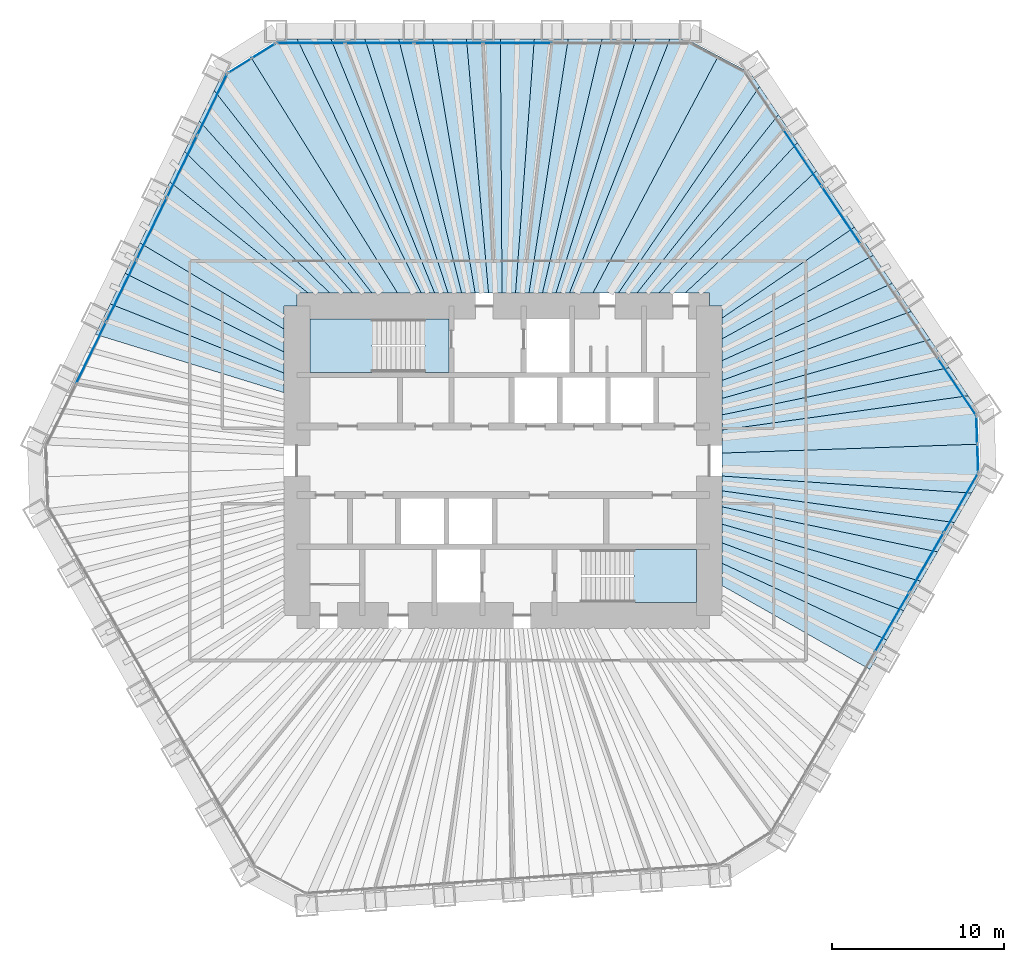
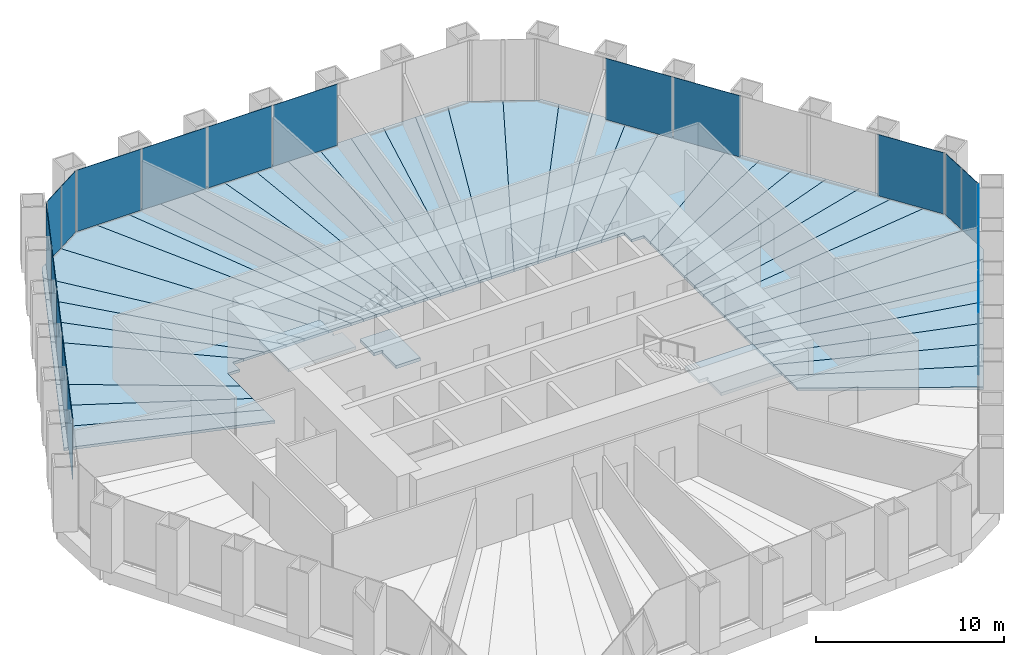
# One storey, part 9 of 13: 43 slabs, 19 plates, 8 elements without a shape of their own.
"""IFC4 building model written with IfcOpenShell, lengths in metres."""

from ifc_helpers import new_model, si_unit, direction, frame, origin, origin_2d, place, context, subcontext, project, spatial, polyline, rectangle, outline, extrude, material, layer, layer_set, type_object, element, aggregate, save


model = new_model("IFC4")

# Units and contexts
model_context = context("Model", 3, precision=1e-05, world=origin(), true_north=direction((0.0, 1.0)))
body_context = subcontext(model_context, "Body", "Model", "MODEL_VIEW")
ifc_project = project(units=[si_unit("LENGTHUNIT", "METRE"), si_unit("AREAUNIT", "SQUARE_METRE"), si_unit("VOLUMEUNIT", "CUBIC_METRE"), si_unit("PLANEANGLEUNIT", "RADIAN"), si_unit("MASSUNIT", "GRAM", prefix="KILO")], contexts=[model_context])

# Site, building, storey
site_placement = place(None, origin())
site = spatial("IfcSite", under=ifc_project, at=site_placement, CompositionType="ELEMENT")
building_placement = place(site_placement, origin())
building = spatial("IfcBuilding", under=site, at=building_placement, Name="Qingtian Harvest Tower", CompositionType="ELEMENT")
storey_placement = place(building_placement, frame((0.0, 0.0, 111.39990234375)))
storey = spatial("IfcBuildingStorey", under=building, at=storey_placement, Name="L22", CompositionType="ELEMENT", Elevation=111.39990234375)

# Slabs
ifc_material_1 = material(Name="Concrete fc' 35 MPa", Category="concrete")
ifc_layer_1 = layer(ifc_material_1, 0.169921875)
ifc_layer_set_1 = layer_set([ifc_layer_1], Name="Composite floor slab FS17 170")
slab_type_1 = type_object("IfcSlabType", Name="Composite floor slab FS17 170", PredefinedType="FLOOR", material=ifc_layer_set_1)
slab_1_placement = place(storey_placement, frame((0.0, 0.0, -0.169921875)))
element("IfcSlab", 1, at=slab_1_placement, inside=storey, type_object=slab_type_1, Name="Floor slab L22 panel D33", PredefinedType="FLOOR", context=body_context, shape_type="SweptSolid", body=[
    extrude(outline(polyline([(12.75, -5.97021484375), (22.330322265625, -10.4326171875), (21.343505859375, -12.14208984375), (12.75, -7.268798828125), (12.75, -5.97021484375)])), origin(), (0.0, 0.0, 1.0), 0.169921875),
])
slab_2_placement = place(storey_placement, frame((0.0, 0.0, -0.169921875)))
element("IfcSlab", 2, at=slab_2_placement, inside=storey, type_object=slab_type_1, Name="Floor slab L22 panel D34", PredefinedType="FLOOR", context=body_context, shape_type="SweptSolid", body=[
    extrude(outline(polyline([(12.75, -4.78173828125), (23.317138671875, -8.723388671875), (22.330322265625, -10.4326171875), (12.75, -5.97021484375), (12.75, -4.78173828125)])), origin(), (0.0, 0.0, 1.0), 0.169921875),
])
slab_3_placement = place(storey_placement, frame((0.0, 0.0, -0.169921875)))
element("IfcSlab", 3, at=slab_3_placement, inside=storey, type_object=slab_type_1, Name="Floor slab L22 panel D35", PredefinedType="FLOOR", context=body_context, shape_type="SweptSolid", body=[
    extrude(outline(polyline([(12.75, -3.68994140625), (24.30419921875, -7.013916015625), (23.317138671875, -8.723388671875), (12.75, -4.78173828125), (12.75, -3.68994140625)])), origin(), (0.0, 0.0, 1.0), 0.169921875),
])
slab_4_placement = place(storey_placement, frame((0.0, 0.0, -0.169921875)))
element("IfcSlab", 4, at=slab_4_placement, inside=storey, type_object=slab_type_1, Name="Floor slab L22 panel D36", PredefinedType="FLOOR", context=body_context, shape_type="SweptSolid", body=[
    extrude(outline(polyline([(12.75, -2.683349609375), (25.291015625, -5.3046875), (24.30419921875, -7.013916015625), (12.75, -3.68994140625), (12.75, -2.683349609375)])), origin(), (0.0, 0.0, 1.0), 0.169921875),
])
slab_5_placement = place(storey_placement, frame((0.0, 0.0, -0.169921875)))
element("IfcSlab", 5, at=slab_5_placement, inside=storey, type_object=slab_type_1, Name="Floor slab L22 panel D37", PredefinedType="FLOOR", context=body_context, shape_type="SweptSolid", body=[
    extrude(outline(polyline([(12.75, -1.752685546875), (26.278076171875, -3.59521484375), (25.291015625, -5.3046875), (12.75, -2.683349609375), (12.75, -1.752685546875)])), origin(), (0.0, 0.0, 1.0), 0.169921875),
])
slab_6_placement = place(storey_placement, frame((0.0, 0.0, -0.169921875)))
element("IfcSlab", 6, at=slab_6_placement, inside=storey, type_object=slab_type_1, Name="Floor slab L22 panel D38", PredefinedType="FLOOR", context=body_context, shape_type="SweptSolid", body=[
    extrude(outline(polyline([(12.75, -0.889404296875), (27.264892578125, -1.8857421875), (26.278076171875, -3.59521484375), (12.75, -1.752685546875), (12.75, -0.889404296875)])), origin(), (0.0, 0.0, 1.0), 0.169921875),
])
slab_7_placement = place(storey_placement, frame((0.0, 0.0, -0.169921875)))
element("IfcSlab", 7, at=slab_7_placement, inside=storey, type_object=slab_type_1, Name="Floor slab L22 panel D39", PredefinedType="FLOOR", context=body_context, shape_type="SweptSolid", body=[
    extrude(outline(polyline([(12.75, -0.889404296875), (12.75, 0.447509765625), (27.666015625, 0.96630859375), (27.737060546875, -1.06787109375), (27.264892578125, -1.8857421875), (12.75, -0.889404296875)])), origin(), (0.0, 0.0, 1.0), 0.169921875),
])
slab_8_placement = place(storey_placement, frame((0.0, 0.0, -0.169921875)))
element("IfcSlab", 8, at=slab_8_placement, inside=storey, type_object=slab_type_1, Name="Floor slab L22 panel D40", PredefinedType="FLOOR", context=body_context, shape_type="SweptSolid", body=[
    extrude(outline(polyline([(12.75, 0.447509765625), (12.75, 1.79052734375), (27.06689453125, 3.783203125), (27.594970703125, 3.000244140625), (27.666015625, 0.96630859375), (12.75, 0.447509765625)])), origin(), (0.0, 0.0, 1.0), 0.169921875),
])
slab_9_placement = place(storey_placement, frame((0.0, 0.0, -0.169921875)))
element("IfcSlab", 9, at=slab_9_placement, inside=storey, type_object=slab_type_1, Name="Floor slab L22 panel D41", PredefinedType="FLOOR", context=body_context, shape_type="SweptSolid", body=[
    extrude(outline(polyline([(12.75, 2.671142578125), (25.963134765625, 5.419677734375), (27.06689453125, 3.783203125), (12.75, 1.79052734375), (12.75, 2.671142578125)])), origin(), (0.0, 0.0, 1.0), 0.169921875),
])
slab_10_placement = place(storey_placement, frame((0.0, 0.0, -0.169921875)))
element("IfcSlab", 10, at=slab_10_placement, inside=storey, type_object=slab_type_1, Name="Floor slab L22 panel D42", PredefinedType="FLOOR", context=body_context, shape_type="SweptSolid", body=[
    extrude(outline(polyline([(12.75, 3.6298828125), (24.859375, 7.055908203125), (25.963134765625, 5.419677734375), (12.75, 2.671142578125), (12.75, 3.6298828125)])), origin(), (0.0, 0.0, 1.0), 0.169921875),
])
slab_11_placement = place(storey_placement, frame((0.0, 0.0, -0.169921875)))
element("IfcSlab", 11, at=slab_11_placement, inside=storey, type_object=slab_type_1, Name="Floor slab L22 panel D43", PredefinedType="FLOOR", context=body_context, shape_type="SweptSolid", body=[
    extrude(outline(polyline([(12.75, 4.677734375), (23.755615234375, 8.6923828125), (24.859375, 7.055908203125), (12.75, 3.6298828125), (12.75, 4.677734375)])), origin(), (0.0, 0.0, 1.0), 0.169921875),
])
slab_12_placement = place(storey_placement, frame((0.0, 0.0, -0.169921875)))
element("IfcSlab", 12, at=slab_12_placement, inside=storey, type_object=slab_type_1, Name="Floor slab L22 panel D44", PredefinedType="FLOOR", context=body_context, shape_type="SweptSolid", body=[
    extrude(outline(polyline([(12.75, 5.828125), (22.65185546875, 10.32861328125), (23.755615234375, 8.6923828125), (12.75, 4.677734375), (12.75, 5.828125)])), origin(), (0.0, 0.0, 1.0), 0.169921875),
])
slab_13_placement = place(storey_placement, frame((0.0, 0.0, -0.169921875)))
element("IfcSlab", 13, at=slab_13_placement, inside=storey, type_object=slab_type_1, Name="Floor slab L22 panel D45", PredefinedType="FLOOR", context=body_context, shape_type="SweptSolid", body=[
    extrude(outline(polyline([(12.75, 7.096435546875), (21.548095703125, 11.965087890625), (22.65185546875, 10.32861328125), (12.75, 5.828125), (12.75, 7.096435546875)])), origin(), (0.0, 0.0, 1.0), 0.169921875),
])
slab_14_placement = place(storey_placement, frame((0.0, 0.0, -0.169921875)))
element("IfcSlab", 14, at=slab_14_placement, inside=storey, type_object=slab_type_1, Name="Floor slab L22 panel D46", PredefinedType="FLOOR", context=body_context, shape_type="SweptSolid", body=[
    extrude(outline(polyline([(12.75, 8.30615234375), (20.448486328125, 13.595458984375), (21.548095703125, 11.965087890625), (12.75, 7.096435546875), (12.75, 8.30615234375)])), origin(), (0.0, 0.0, 1.0), 0.169921875),
])
slab_15_placement = place(storey_placement, frame((0.0, 0.0, -0.169921875)))
element("IfcSlab", 15, at=slab_15_placement, inside=storey, type_object=slab_type_1, Name="Floor slab L22 panel D48", PredefinedType="FLOOR", context=body_context, shape_type="SweptSolid", body=[
    extrude(outline(polyline([(18.238037109375, 16.87255859375), (20.448486328125, 13.595458984375), (12.75, 8.30615234375), (12.75, 9.0), (12.0, 9.0), (12.0, 9.75), (10.578369140625, 9.75), (18.238037109375, 16.87255859375)])), origin(), (0.0, 0.0, 1.0), 0.169921875),
])
slab_16_placement = place(storey_placement, frame((0.0, 0.0, -0.169921875)))
element("IfcSlab", 16, at=slab_16_placement, inside=storey, type_object=slab_type_1, Name="Floor slab L22 panel D49", PredefinedType="FLOOR", context=body_context, shape_type="SweptSolid", body=[
    extrude(outline(polyline([(9.0556640625, 9.75), (17.134033203125, 18.50927734375), (18.238037109375, 16.87255859375), (10.578369140625, 9.75), (9.0556640625, 9.75)])), origin(), (0.0, 0.0, 1.0), 0.169921875),
])
slab_17_placement = place(storey_placement, frame((0.0, 0.0, -0.169921875)))
element("IfcSlab", 17, at=slab_17_placement, inside=storey, type_object=slab_type_1, Name="Floor slab L22 panel D50", PredefinedType="FLOOR", context=body_context, shape_type="SweptSolid", body=[
    extrude(outline(polyline([(7.781494140625, 9.75), (16.0302734375, 20.145751953125), (17.134033203125, 18.50927734375), (9.0556640625, 9.75), (7.781494140625, 9.75)])), origin(), (0.0, 0.0, 1.0), 0.169921875),
])
slab_18_placement = place(storey_placement, frame((0.0, 0.0, -0.169921875)))
element("IfcSlab", 18, at=slab_18_placement, inside=storey, type_object=slab_type_1, Name="Floor slab L22 panel D51", PredefinedType="FLOOR", context=body_context, shape_type="SweptSolid", body=[
    extrude(outline(polyline([(6.69970703125, 9.75), (14.926513671875, 21.7822265625), (16.0302734375, 20.145751953125), (7.781494140625, 9.75), (6.69970703125, 9.75)])), origin(), (0.0, 0.0, 1.0), 0.169921875),
])
slab_19_placement = place(storey_placement, frame((0.0, 0.0, -0.169921875)))
element("IfcSlab", 19, at=slab_19_placement, inside=storey, type_object=slab_type_1, Name="Floor slab L22 panel D52", PredefinedType="FLOOR", context=body_context, shape_type="SweptSolid", body=[
    extrude(outline(polyline([(6.69970703125, 9.75), (5.224609375, 9.75), (12.528076171875, 23.5595703125), (14.398193359375, 22.5654296875), (14.926513671875, 21.7822265625), (6.69970703125, 9.75)])), origin(), (0.0, 0.0, 1.0), 0.169921875),
])
slab_20_placement = place(storey_placement, frame((0.0, 0.0, -0.169921875)))
element("IfcSlab", 20, at=slab_20_placement, inside=storey, type_object=slab_type_1, Name="Floor slab L22 panel D53", PredefinedType="FLOOR", context=body_context, shape_type="SweptSolid", body=[
    extrude(outline(polyline([(3.856201171875, 9.75), (9.7119140625, 24.554931640625), (10.656005859375, 24.554931640625), (12.528076171875, 23.5595703125), (5.224609375, 9.75), (3.856201171875, 9.75)])), origin(), (0.0, 0.0, 1.0), 0.169921875),
])
slab_21_placement = place(storey_placement, frame((0.0, 0.0, -0.169921875)))
element("IfcSlab", 21, at=slab_21_placement, inside=storey, type_object=slab_type_1, Name="Floor slab L22 panel D54", PredefinedType="FLOOR", context=body_context, shape_type="SweptSolid", body=[
    extrude(outline(polyline([(3.072509765625, 9.75), (7.73828125, 24.554931640625), (9.7119140625, 24.554931640625), (3.856201171875, 9.75), (3.072509765625, 9.75)])), origin(), (0.0, 0.0, 1.0), 0.169921875),
])
slab_22_placement = place(storey_placement, frame((0.0, 0.0, -0.169921875)))
element("IfcSlab", 22, at=slab_22_placement, inside=storey, type_object=slab_type_1, Name="Floor slab L22 panel D55", PredefinedType="FLOOR", context=body_context, shape_type="SweptSolid", body=[
    extrude(outline(polyline([(2.288818359375, 9.75), (5.764404296875, 24.554931640625), (7.73828125, 24.554931640625), (3.072509765625, 9.75), (2.288818359375, 9.75)])), origin(), (0.0, 0.0, 1.0), 0.169921875),
])
slab_23_placement = place(storey_placement, frame((0.0, 0.0, -0.169921875)))
element("IfcSlab", 23, at=slab_23_placement, inside=storey, type_object=slab_type_1, Name="Floor slab L22 panel D56", PredefinedType="FLOOR", context=body_context, shape_type="SweptSolid", body=[
    extrude(outline(polyline([(1.505126953125, 9.75), (3.790771484375, 24.554931640625), (5.764404296875, 24.554931640625), (2.288818359375, 9.75), (1.505126953125, 9.75)])), origin(), (0.0, 0.0, 1.0), 0.169921875),
])
slab_24_placement = place(storey_placement, frame((0.0, 0.0, -0.169921875)))
element("IfcSlab", 24, at=slab_24_placement, inside=storey, type_object=slab_type_1, Name="Floor slab L22 panel D57", PredefinedType="FLOOR", context=body_context, shape_type="SweptSolid", body=[
    extrude(outline(polyline([(0.721435546875, 9.75), (1.81689453125, 24.554931640625), (3.790771484375, 24.554931640625), (1.505126953125, 9.75), (0.721435546875, 9.75)])), origin(), (0.0, 0.0, 1.0), 0.169921875),
])
slab_25_placement = place(storey_placement, frame((0.0, 0.0, -0.169921875)))
element("IfcSlab", 25, at=slab_25_placement, inside=storey, type_object=slab_type_1, Name="Floor slab L22 panel D58", PredefinedType="FLOOR", context=body_context, shape_type="SweptSolid", body=[
    extrude(outline(polyline([(-0.062255859375, 9.75), (-0.156982421875, 24.554931640625), (1.81689453125, 24.554931640625), (0.721435546875, 9.75), (-0.062255859375, 9.75)])), origin(), (0.0, 0.0, 1.0), 0.169921875),
])
slab_26_placement = place(storey_placement, frame((0.0, 0.0, -0.169921875)))
element("IfcSlab", 26, at=slab_26_placement, inside=storey, type_object=slab_type_1, Name="Floor slab L22 panel D59", PredefinedType="FLOOR", context=body_context, shape_type="SweptSolid", body=[
    extrude(outline(polyline([(-0.845947265625, 9.75), (-2.130615234375, 24.554931640625), (-0.156982421875, 24.554931640625), (-0.062255859375, 9.75), (-0.845947265625, 9.75)])), origin(), (0.0, 0.0, 1.0), 0.169921875),
])
slab_27_placement = place(storey_placement, frame((0.0, 0.0, -0.169921875)))
element("IfcSlab", 27, at=slab_27_placement, inside=storey, type_object=slab_type_1, Name="Floor slab L22 panel D60", PredefinedType="FLOOR", context=body_context, shape_type="SweptSolid", body=[
    extrude(outline(polyline([(-1.629638671875, 9.75), (-4.1044921875, 24.554931640625), (-2.130615234375, 24.554931640625), (-0.845947265625, 9.75), (-1.629638671875, 9.75)])), origin(), (0.0, 0.0, 1.0), 0.169921875),
])
slab_28_placement = place(storey_placement, frame((0.0, 0.0, -0.169921875)))
element("IfcSlab", 28, at=slab_28_placement, inside=storey, type_object=slab_type_1, Name="Floor slab L22 panel D61", PredefinedType="FLOOR", context=body_context, shape_type="SweptSolid", body=[
    extrude(outline(polyline([(-2.41357421875, 9.75), (-6.078125, 24.554931640625), (-4.1044921875, 24.554931640625), (-1.629638671875, 9.75), (-2.41357421875, 9.75)])), origin(), (0.0, 0.0, 1.0), 0.169921875),
])
slab_29_placement = place(storey_placement, frame((0.0, 0.0, -0.169921875)))
element("IfcSlab", 29, at=slab_29_placement, inside=storey, type_object=slab_type_1, Name="Floor slab L22 panel D62", PredefinedType="FLOOR", context=body_context, shape_type="SweptSolid", body=[
    extrude(outline(polyline([(-3.197265625, 9.75), (-8.052001953125, 24.554931640625), (-6.078125, 24.554931640625), (-2.41357421875, 9.75), (-3.197265625, 9.75)])), origin(), (0.0, 0.0, 1.0), 0.169921875),
])
slab_30_placement = place(storey_placement, frame((0.0, 0.0, -0.169921875)))
element("IfcSlab", 30, at=slab_30_placement, inside=storey, type_object=slab_type_1, Name="Floor slab L22 panel D63", PredefinedType="FLOOR", context=body_context, shape_type="SweptSolid", body=[
    extrude(outline(polyline([(-3.98095703125, 9.75), (-10.025634765625, 24.554931640625), (-8.052001953125, 24.554931640625), (-3.197265625, 9.75), (-3.98095703125, 9.75)])), origin(), (0.0, 0.0, 1.0), 0.169921875),
])
slab_31_placement = place(storey_placement, frame((0.0, 0.0, -0.169921875)))
element("IfcSlab", 31, at=slab_31_placement, inside=storey, type_object=slab_type_1, Name="Floor slab L22 panel D64", PredefinedType="FLOOR", context=body_context, shape_type="SweptSolid", body=[
    extrude(outline(polyline([(-4.7646484375, 9.75), (-11.99951171875, 24.554931640625), (-10.025634765625, 24.554931640625), (-3.98095703125, 9.75), (-4.7646484375, 9.75)])), origin(), (0.0, 0.0, 1.0), 0.169921875),
])
slab_32_placement = place(storey_placement, frame((0.0, 0.0, -0.169921875)))
element("IfcSlab", 32, at=slab_32_placement, inside=storey, type_object=slab_type_1, Name="Floor slab L22 panel D65", PredefinedType="FLOOR", context=body_context, shape_type="SweptSolid", body=[
    extrude(outline(polyline([(-4.7646484375, 9.75), (-6.13671875, 9.75), (-14.670654296875, 23.475830078125), (-12.943603515625, 24.554931640625), (-11.99951171875, 24.554931640625), (-4.7646484375, 9.75)])), origin(), (0.0, 0.0, 1.0), 0.169921875),
])
slab_33_placement = place(storey_placement, frame((0.0, 0.0, -0.169921875)))
element("IfcSlab", 33, at=slab_33_placement, inside=storey, type_object=slab_type_1, Name="Floor slab L22 panel D66", PredefinedType="FLOOR", context=body_context, shape_type="SweptSolid", body=[
    extrude(outline(polyline([(-6.13671875, 9.75), (-7.62646484375, 9.75), (-16.809814453125, 21.548828125), (-16.395751953125, 22.39794921875), (-14.670654296875, 23.475830078125), (-6.13671875, 9.75)])), origin(), (0.0, 0.0, 1.0), 0.169921875),
])
slab_34_placement = place(storey_placement, frame((0.0, 0.0, -0.169921875)))
element("IfcSlab", 34, at=slab_34_placement, inside=storey, type_object=slab_type_1, Name="Floor slab L22 panel D67", PredefinedType="FLOOR", context=body_context, shape_type="SweptSolid", body=[
    extrude(outline(polyline([(-8.74169921875, 9.75), (-17.67529296875, 19.774658203125), (-16.809814453125, 21.548828125), (-7.62646484375, 9.75), (-8.74169921875, 9.75)])), origin(), (0.0, 0.0, 1.0), 0.169921875),
])
slab_35_placement = place(storey_placement, frame((0.0, 0.0, -0.169921875)))
element("IfcSlab", 35, at=slab_35_placement, inside=storey, type_object=slab_type_1, Name="Floor slab L22 panel D68", PredefinedType="FLOOR", context=body_context, shape_type="SweptSolid", body=[
    extrude(outline(polyline([(-10.077880859375, 9.75), (-18.54052734375, 18.000244140625), (-17.67529296875, 19.774658203125), (-8.74169921875, 9.75), (-10.077880859375, 9.75)])), origin(), (0.0, 0.0, 1.0), 0.169921875),
])
slab_36_placement = place(storey_placement, frame((0.0, 0.0, -0.169921875)))
element("IfcSlab", 36, at=slab_36_placement, inside=storey, type_object=slab_type_1, Name="Floor slab L22 panel D69", PredefinedType="FLOOR", context=body_context, shape_type="SweptSolid", body=[
    extrude(outline(polyline([(-11.329345703125, 9.75), (-19.4013671875, 16.235595703125), (-18.54052734375, 18.000244140625), (-10.077880859375, 9.75), (-11.329345703125, 9.75)])), origin(), (0.0, 0.0, 1.0), 0.169921875),
])
slab_37_placement = place(storey_placement, frame((0.0, 0.0, -0.169921875)))
element("IfcSlab", 37, at=slab_37_placement, inside=storey, type_object=slab_type_1, Name="Floor slab L22 panel D70", PredefinedType="FLOOR", context=body_context, shape_type="SweptSolid", body=[
    extrude(outline(polyline([(-12.0, 9.0), (-12.75, 9.0), (-12.75, 7.662841796875), (-21.1357421875, 12.6796875), (-19.4013671875, 16.235595703125), (-11.329345703125, 9.75), (-12.0, 9.75), (-12.0, 9.0)])), origin(), (0.0, 0.0, 1.0), 0.169921875),
])
slab_38_placement = place(storey_placement, frame((0.0, 0.0, -0.169921875)))
element("IfcSlab", 38, at=slab_38_placement, inside=storey, type_object=slab_type_1, Name="Floor slab L22 panel D72", PredefinedType="FLOOR", context=body_context, shape_type="SweptSolid", body=[
    extrude(outline(polyline([(-12.75, 6.332275390625), (-22.0009765625, 10.905517578125), (-21.1357421875, 12.6796875), (-12.75, 7.662841796875), (-12.75, 6.332275390625)])), origin(), (0.0, 0.0, 1.0), 0.169921875),
])
slab_39_placement = place(storey_placement, frame((0.0, 0.0, -0.169921875)))
element("IfcSlab", 39, at=slab_39_placement, inside=storey, type_object=slab_type_1, Name="Floor slab L22 panel D73", PredefinedType="FLOOR", context=body_context, shape_type="SweptSolid", body=[
    extrude(outline(polyline([(-12.75, 5.1025390625), (-22.8662109375, 9.131591796875), (-22.0009765625, 10.905517578125), (-12.75, 6.332275390625), (-12.75, 5.1025390625)])), origin(), (0.0, 0.0, 1.0), 0.169921875),
])
slab_40_placement = place(storey_placement, frame((0.0, 0.0, -0.169921875)))
element("IfcSlab", 40, at=slab_40_placement, inside=storey, type_object=slab_type_1, Name="Floor slab L22 panel D74", PredefinedType="FLOOR", context=body_context, shape_type="SweptSolid", body=[
    extrude(outline(polyline([(-12.75, 3.962646484375), (-23.7314453125, 7.357421875), (-22.8662109375, 9.131591796875), (-12.75, 5.1025390625), (-12.75, 3.962646484375)])), origin(), (0.0, 0.0, 1.0), 0.169921875),
])

# Curtain wall, plates
ifc_material_2 = material(Name="Bronze-anodised aluminium curtain wall", Category="aluminium")
curtain_wall_type = type_object("IfcCurtainWallType", Name="Curtain wall CW4 office", PredefinedType="USERDEFINED", material=ifc_material_2)
curtain_wall_1_placement = place(storey_placement, origin())
curtain_wall_1 = element("IfcCurtainWall", 41, at=curtain_wall_1_placement, inside=storey, type_object=curtain_wall_type, Name="Curtain wall CW4 L22 N0-5", ObjectType="RECESSED CURTAIN WALL", PredefinedType="USERDEFINED")
ifc_material_3 = material(Name="Bronze-tinted laminated insulating glass", Category="glass")
ifc_layer_2 = layer(ifc_material_3, 0.030029296875)
ifc_layer_set_2 = layer_set([ifc_layer_2], Name="Glazed panel CWP tinted IGU")
plate_type = type_object("IfcPlateType", Name="Glazed panel CWP tinted IGU", PredefinedType="CURTAIN_PANEL", material=ifc_layer_set_2)
plate_1_placement = place(storey_placement, frame((-11.196044921875, 24.300048828125, 0.06494140625), z_axis=(0.0, 0.0, 1.0), x_axis=(1.0, 0.0, 0.0)))
plate_1 = element("IfcPlate", 42, at=plate_1_placement, type_object=plate_type, Name="CW4 panel 1.1", PredefinedType="CURTAIN_PANEL", context=body_context, shape_type="SweptSolid", body=[
    extrude(rectangle(XDim=3.921630859375, YDim=0.030029296875, at=origin_2d()), origin(), (0.0, 0.0, 1.0), 3.965087890625),
])
plate_2_placement = place(storey_placement, frame((-7.193115234375, 24.300048828125, 0.06494140625), z_axis=(0.0, 0.0, 1.0), x_axis=(1.0, 0.0, 0.0)))
plate_2 = element("IfcPlate", 43, at=plate_2_placement, type_object=plate_type, Name="CW4 panel 2.1", PredefinedType="CURTAIN_PANEL", context=body_context, shape_type="SweptSolid", body=[
    extrude(rectangle(XDim=3.9541015625, YDim=0.030029296875, at=origin_2d()), origin(), (0.0, 0.0, 1.0), 3.965087890625),
])
plate_3_placement = place(storey_placement, frame((-3.174072265625, 24.300048828125, 0.06494140625), z_axis=(0.0, 0.0, 1.0), x_axis=(1.0, 0.0, 0.0)))
plate_3 = element("IfcPlate", 44, at=plate_3_placement, type_object=plate_type, Name="CW4 panel 3.1", PredefinedType="CURTAIN_PANEL", context=body_context, shape_type="SweptSolid", body=[
    extrude(rectangle(XDim=3.9541015625, YDim=0.030029296875, at=origin_2d()), origin(), (0.0, 0.0, 1.0), 3.965087890625),
])
plate_4_placement = place(storey_placement, frame((0.844970703125, 24.300048828125, 0.06494140625), z_axis=(0.0, 0.0, 1.0), x_axis=(1.0, 0.0, 0.0)))
plate_4 = element("IfcPlate", 45, at=plate_4_placement, type_object=plate_type, Name="CW4 panel 4.1", PredefinedType="CURTAIN_PANEL", context=body_context, shape_type="SweptSolid", body=[
    extrude(rectangle(XDim=3.9541015625, YDim=0.030029296875, at=origin_2d()), origin(), (0.0, 0.0, 1.0), 3.965087890625),
])
aggregate(curtain_wall_1, [plate_1, plate_2, plate_3, plate_4])

curtain_wall_2_placement = place(storey_placement, origin())
curtain_wall_2 = element("IfcCurtainWall", 46, at=curtain_wall_2_placement, inside=storey, type_object=curtain_wall_type, Name="Curtain wall CW4 L22 NE0-5", ObjectType="RECESSED CURTAIN WALL", PredefinedType="USERDEFINED")
plate_5_placement = place(storey_placement, frame((17.425537109375, 17.620849609375, 0.06494140625), z_axis=(0.0, 0.0, 1.0), x_axis=(0.559192903471, -0.829037572555, 0.0)))
plate_5 = element("IfcPlate", 47, at=plate_5_placement, type_object=plate_type, Name="CW4 panel 2.1", PredefinedType="CURTAIN_PANEL", context=body_context, shape_type="SweptSolid", body=[
    extrude(rectangle(XDim=3.9541015625, YDim=0.030029296875, at=origin_2d()), origin(), (0.0, 0.0, 1.0), 3.965087890625),
])
plate_6_placement = place(storey_placement, frame((19.673095703125, 14.2890625, 0.06494140625), z_axis=(0.0, 0.0, 1.0), x_axis=(0.559192903471, -0.829037572555, 0.0)))
plate_6 = element("IfcPlate", 48, at=plate_6_placement, type_object=plate_type, Name="CW4 panel 3.1", PredefinedType="CURTAIN_PANEL", context=body_context, shape_type="SweptSolid", body=[
    extrude(rectangle(XDim=3.9541015625, YDim=0.030029296875, at=origin_2d()), origin(), (0.0, 0.0, 1.0), 3.965087890625),
])
plate_7_placement = place(storey_placement, frame((26.40625, 4.306640625, 0.06494140625), z_axis=(0.0, 0.0, 1.0), x_axis=(0.559192903471, -0.829037572555, 0.0)))
plate_7 = element("IfcPlate", 49, at=plate_7_placement, type_object=plate_type, Name="CW4 panel 6.1", PredefinedType="CURTAIN_PANEL", context=body_context, shape_type="SweptSolid", body=[
    extrude(rectangle(XDim=3.921630859375, YDim=0.030029296875, at=origin_2d()), origin(), (0.0, 0.0, 1.0), 3.965087890625),
])
aggregate(curtain_wall_2, [plate_5, plate_6, plate_7])

curtain_wall_3_placement = place(storey_placement, origin())
curtain_wall_3 = element("IfcCurtainWall", 50, at=curtain_wall_3_placement, inside=storey, type_object=curtain_wall_type, Name="Curtain wall CW4 L22 NEC", ObjectType="RECESSED CURTAIN WALL", PredefinedType="USERDEFINED")
plate_8_placement = place(storey_placement, frame((27.568603515625, 1.779052734375, 0.06494140625), z_axis=(0.0, 0.0, 1.0), x_axis=(0.034899496703, -0.999390827019, 0.0)))
plate_8 = element("IfcPlate", 51, at=plate_8_placement, type_object=plate_type, Name="CW4 panel 1.1", PredefinedType="CURTAIN_PANEL", context=body_context, shape_type="SweptSolid", body=[
    extrude(rectangle(XDim=1.56689453125, YDim=0.030029296875, at=origin_2d()), origin(), (0.0, 0.0, 1.0), 3.965087890625),
])
plate_9_placement = place(storey_placement, frame((27.625732421875, 0.148193359375, 0.06494140625), z_axis=(0.0, 0.0, 1.0), x_axis=(0.034899496703, -0.999390827019, 0.0)))
plate_9 = element("IfcPlate", 52, at=plate_9_placement, type_object=plate_type, Name="CW4 panel 2.1", PredefinedType="CURTAIN_PANEL", context=body_context, shape_type="SweptSolid", body=[
    extrude(rectangle(XDim=1.56689453125, YDim=0.030029296875, at=origin_2d()), origin(), (0.0, 0.0, 1.0), 3.965087890625),
])
aggregate(curtain_wall_3, [plate_8, plate_9])

curtain_wall_4_placement = place(storey_placement, origin())
curtain_wall_4 = element("IfcCurtainWall", 53, at=curtain_wall_4_placement, inside=storey, type_object=curtain_wall_type, Name="Curtain wall CW4 L22 SE0-5", ObjectType="RECESSED CURTAIN WALL", PredefinedType="USERDEFINED")
plate_10_placement = place(storey_placement, frame((26.642333984375, -2.4541015625, 0.06494140625), z_axis=(0.0, 0.0, 1.0), x_axis=(-0.5, -0.866025403784, 0.0)))
plate_10 = element("IfcPlate", 54, at=plate_10_placement, type_object=plate_type, Name="CW4 panel 1.1", PredefinedType="CURTAIN_PANEL", context=body_context, shape_type="SweptSolid", body=[
    extrude(rectangle(XDim=3.921630859375, YDim=0.030029296875, at=origin_2d()), origin(), (0.0, 0.0, 1.0), 3.965087890625),
])
plate_11_placement = place(storey_placement, frame((24.640869140625, -5.920654296875, 0.06494140625), z_axis=(0.0, 0.0, 1.0), x_axis=(-0.5, -0.866025403784, 0.0)))
plate_11 = element("IfcPlate", 55, at=plate_11_placement, type_object=plate_type, Name="CW4 panel 2.1", PredefinedType="CURTAIN_PANEL", context=body_context, shape_type="SweptSolid", body=[
    extrude(rectangle(XDim=3.9541015625, YDim=0.030029296875, at=origin_2d()), origin(), (0.0, 0.0, 1.0), 3.965087890625),
])
plate_12_placement = place(storey_placement, frame((22.63134765625, -9.401123046875, 0.06494140625), z_axis=(0.0, 0.0, 1.0), x_axis=(-0.5, -0.866025403784, 0.0)))
plate_12 = element("IfcPlate", 56, at=plate_12_placement, type_object=plate_type, Name="CW4 panel 3.1", PredefinedType="CURTAIN_PANEL", context=body_context, shape_type="SweptSolid", body=[
    extrude(rectangle(XDim=3.9541015625, YDim=0.030029296875, at=origin_2d()), origin(), (0.0, 0.0, 1.0), 3.965087890625),
])
aggregate(curtain_wall_4, [plate_10, plate_11, plate_12])

curtain_wall_5_placement = place(storey_placement, origin())
curtain_wall_5 = element("IfcCurtainWall", 57, at=curtain_wall_5_placement, inside=storey, type_object=curtain_wall_type, Name="Curtain wall CW4 L22 NW0-5", ObjectType="RECESSED CURTAIN WALL", PredefinedType="USERDEFINED")
plate_13_placement = place(storey_placement, frame((-23.972900390625, 6.280517578125, 0.06494140625), z_axis=(0.0, 0.0, 1.0), x_axis=(0.438371146789, 0.898794046299, 0.0)))
plate_13 = element("IfcPlate", 58, at=plate_13_placement, type_object=plate_type, Name="CW4 panel 2.1", PredefinedType="CURTAIN_PANEL", context=body_context, shape_type="SweptSolid", body=[
    extrude(rectangle(XDim=3.9541015625, YDim=0.030029296875, at=origin_2d()), origin(), (0.0, 0.0, 1.0), 3.965087890625),
])
plate_14_placement = place(storey_placement, frame((-22.211181640625, 9.892822265625, 0.06494140625), z_axis=(0.0, 0.0, 1.0), x_axis=(0.438371146789, 0.898794046299, 0.0)))
plate_14 = element("IfcPlate", 59, at=plate_14_placement, type_object=plate_type, Name="CW4 panel 3.1", PredefinedType="CURTAIN_PANEL", context=body_context, shape_type="SweptSolid", body=[
    extrude(rectangle(XDim=3.9541015625, YDim=0.030029296875, at=origin_2d()), origin(), (0.0, 0.0, 1.0), 3.965087890625),
])
plate_15_placement = place(storey_placement, frame((-20.44921875, 13.505126953125, 0.06494140625), z_axis=(0.0, 0.0, 1.0), x_axis=(0.438371146789, 0.898794046299, 0.0)))
plate_15 = element("IfcPlate", 60, at=plate_15_placement, type_object=plate_type, Name="CW4 panel 4.1", PredefinedType="CURTAIN_PANEL", context=body_context, shape_type="SweptSolid", body=[
    extrude(rectangle(XDim=3.9541015625, YDim=0.030029296875, at=origin_2d()), origin(), (0.0, 0.0, 1.0), 3.965087890625),
])
plate_16_placement = place(storey_placement, frame((-18.6875, 17.117431640625, 0.06494140625), z_axis=(0.0, 0.0, 1.0), x_axis=(0.438371146789, 0.898794046299, 0.0)))
plate_16 = element("IfcPlate", 61, at=plate_16_placement, type_object=plate_type, Name="CW4 panel 5.1", PredefinedType="CURTAIN_PANEL", context=body_context, shape_type="SweptSolid", body=[
    extrude(rectangle(XDim=3.9541015625, YDim=0.030029296875, at=origin_2d()), origin(), (0.0, 0.0, 1.0), 3.965087890625),
])
plate_17_placement = place(storey_placement, frame((-16.9326171875, 20.71533203125, 0.06494140625), z_axis=(0.0, 0.0, 1.0), x_axis=(0.438371146789, 0.898794046299, 0.0)))
plate_17 = element("IfcPlate", 62, at=plate_17_placement, type_object=plate_type, Name="CW4 panel 6.1", PredefinedType="CURTAIN_PANEL", context=body_context, shape_type="SweptSolid", body=[
    extrude(rectangle(XDim=3.921630859375, YDim=0.030029296875, at=origin_2d()), origin(), (0.0, 0.0, 1.0), 3.965087890625),
])
aggregate(curtain_wall_5, [plate_13, plate_14, plate_15, plate_16, plate_17])

curtain_wall_6_placement = place(storey_placement, origin())
curtain_wall_6 = element("IfcCurtainWall", 63, at=curtain_wall_6_placement, inside=storey, type_object=curtain_wall_type, Name="Curtain wall CW4 L22 NWC", ObjectType="RECESSED CURTAIN WALL", PredefinedType="USERDEFINED")
plate_18_placement = place(storey_placement, frame((-15.3251953125, 22.985595703125, 0.06494140625), z_axis=(0.0, 0.0, 1.0), x_axis=(0.848048096156, 0.529919264233, 0.0)))
plate_18 = element("IfcPlate", 64, at=plate_18_placement, type_object=plate_type, Name="CW4 panel 1.1", PredefinedType="CURTAIN_PANEL", context=body_context, shape_type="SweptSolid", body=[
    extrude(rectangle(XDim=1.56689453125, YDim=0.030029296875, at=origin_2d()), origin(), (0.0, 0.0, 1.0), 3.965087890625),
])
plate_19_placement = place(storey_placement, frame((-13.941162109375, 23.850341796875, 0.06494140625), z_axis=(0.0, 0.0, 1.0), x_axis=(0.848048096156, 0.529919264233, 0.0)))
plate_19 = element("IfcPlate", 65, at=plate_19_placement, type_object=plate_type, Name="CW4 panel 2.1", PredefinedType="CURTAIN_PANEL", context=body_context, shape_type="SweptSolid", body=[
    extrude(rectangle(XDim=1.56689453125, YDim=0.030029296875, at=origin_2d()), origin(), (0.0, 0.0, 1.0), 3.965087890625),
])
aggregate(curtain_wall_6, [plate_18, plate_19])

# Stair, slabs
ifc_material_4 = material(Name="Concrete fc' 35 MPa", Category="concrete")
stair_type = type_object("IfcStairType", Name="Special stair ST3 4200", PredefinedType="HALF_TURN_STAIR", material=ifc_material_4)
stair_1_placement = place(storey_placement, origin())
stair_1 = element("IfcStair", 66, at=stair_1_placement, inside=storey, type_object=stair_type, Name="Special stair S1 L22", PredefinedType="HALF_TURN_STAIR")
ifc_material_5 = material(Name="Concrete fc' 35 MPa", Category="concrete")
ifc_layer_3 = layer(ifc_material_5, 0.199951171875)
ifc_layer_set_3 = layer_set([ifc_layer_3], Name="Stair landing SL2 200")
slab_type_2 = type_object("IfcSlabType", Name="Stair landing SL2 200", PredefinedType="LANDING", material=ifc_layer_set_3)
slab_41_placement = place(storey_placement, frame((0.0, 0.0, -0.199951171875)))
slab_41 = element("IfcSlab", 67, at=slab_41_placement, type_object=slab_type_2, Name="S1 landing 1", PredefinedType="LANDING", context=body_context, shape_type="SweptSolid", body=[
    extrude(outline(polyline([(-4.64990234375, 5.14990234375), (-4.64990234375, 6.64990234375), (-4.550048828125, 6.64990234375), (-4.550048828125, 6.75), (-5.0849609375, 6.75), (-5.0849609375, 8.25), (-3.14990234375, 8.25), (-3.14990234375, 5.14990234375), (-4.64990234375, 5.14990234375)])), origin(), (0.0, 0.0, 1.0), 0.199951171875),
])
slab_42_placement = place(storey_placement, frame((0.0, 0.0, 1.900146484375)))
slab_42 = element("IfcSlab", 68, at=slab_42_placement, type_object=slab_type_2, Name="S1 landing 2", PredefinedType="LANDING", context=body_context, shape_type="SweptSolid", body=[
    extrude(outline(polyline([(-7.094970703125, 5.14990234375), (-11.25, 5.14990234375), (-11.25, 8.25), (-7.530029296875, 8.25), (-7.530029296875, 6.75), (-7.6298828125, 6.75), (-7.6298828125, 6.64990234375), (-7.094970703125, 6.64990234375), (-7.094970703125, 5.14990234375)])), origin(), (0.0, 0.0, 1.0), 0.199951171875),
])
aggregate(stair_1, [slab_41, slab_42])

# Stair, slab
stair_2_placement = place(storey_placement, origin())
stair_2 = element("IfcStair", 69, at=stair_2_placement, inside=storey, type_object=stair_type, Name="Special stair S2 L22", PredefinedType="HALF_TURN_STAIR")
slab_43_placement = place(storey_placement, frame((0.0, 0.0, 1.900146484375)))
slab_43 = element("IfcSlab", 70, at=slab_43_placement, type_object=slab_type_2, Name="S2 landing 2", PredefinedType="LANDING", context=body_context, shape_type="SweptSolid", body=[
    extrude(outline(polyline([(7.530029296875, -8.25), (7.530029296875, -6.75), (7.6298828125, -6.75), (7.6298828125, -6.64990234375), (7.094970703125, -6.64990234375), (7.094970703125, -5.14990234375), (11.25, -5.14990234375), (11.25, -8.25), (7.530029296875, -8.25)])), origin(), (0.0, 0.0, 1.0), 0.199951171875),
])
aggregate(stair_2, [slab_43])

save(model, "model.ifc")
